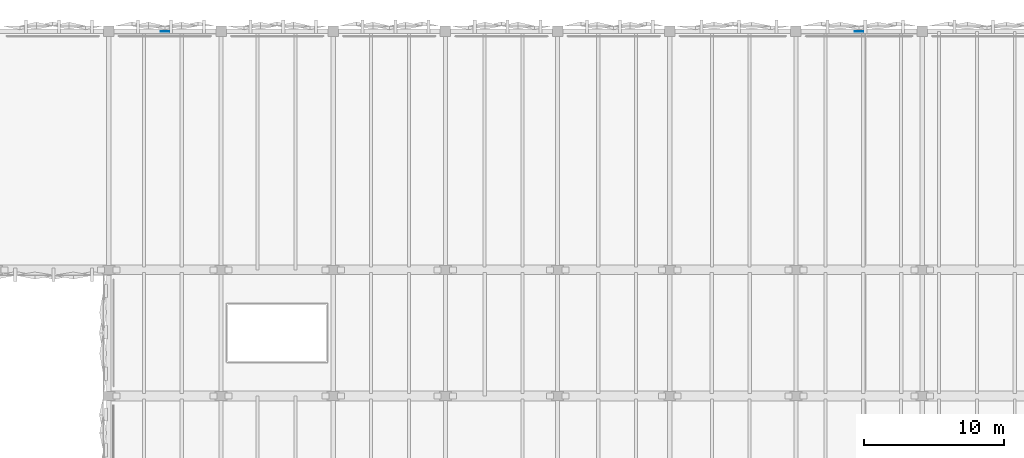
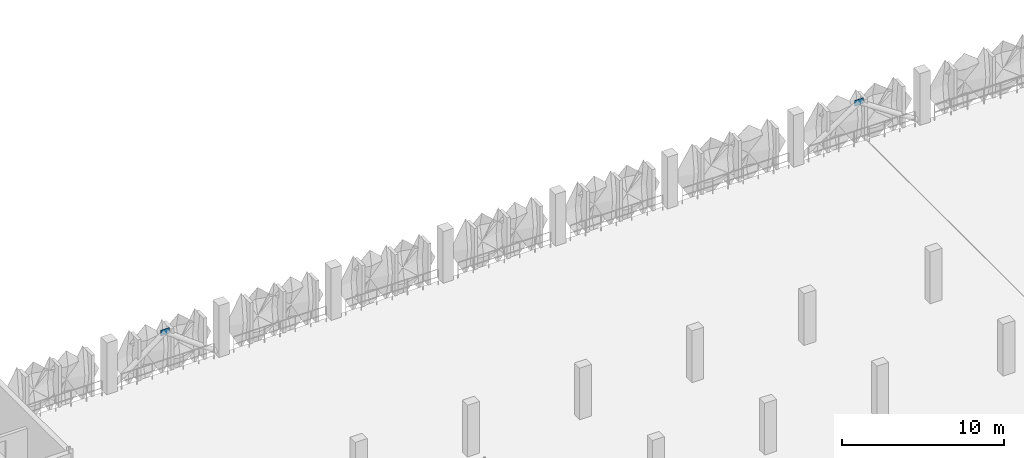
# One storey, part 37 of 83: 2 plates.
"""IFC4 building model written with IfcOpenShell, lengths in metres."""

import ifcopenshell
import ifcopenshell.guid

model = None  # the IFC model being written
_history = None  # IfcOwnerHistory: only IFC2X3 demands one
_inside = {}  # id of a spatial element -> (the spatial element, [elements in it])
_under = {}  # id of a project, library or spatial element -> (it, [spatial elements below it])
_declared = {}  # id of a project -> (the project, [libraries it declares])
_typed = {}  # id of a type object -> (the type object, [elements of that type])
_made_of = {}  # id of a material, layer set ... -> (it, [elements and type objects made of it])


def new_model(schema):
    """Start an empty IFC model of exactly this schema.

    Asked for "IFC4X3", IfcOpenShell would pick the latest addendum, in which some entities
    have other attributes; the version numbers below select the first issue.
    IFC2X3 requires an IfcOwnerHistory on every rooted entity: one is made here for all.
    """
    global model, _history
    if schema == "IFC4X3":
        model = ifcopenshell.file(schema_version=(4, 3, 0, 0))
    else:
        model = ifcopenshell.file(schema=schema)
    _inside.clear()
    _under.clear()
    _declared.clear()
    _typed.clear()
    _made_of.clear()
    _history = None
    if model.schema == "IFC2X3":
        org = make("IfcOrganization", Name="unknown")
        user = make(
            "IfcPersonAndOrganization",
            ThePerson=make("IfcPerson", FamilyName="unknown"),
            TheOrganization=org,
        )
        app = make(
            "IfcApplication",
            ApplicationDeveloper=org,
            Version="unknown",
            ApplicationFullName="unknown",
            ApplicationIdentifier="unknown",
        )
        _history = make(
            "IfcOwnerHistory",
            OwningUser=user,
            OwningApplication=app,
            ChangeAction="ADDED",
            CreationDate=0,
        )
    return model


def make(cls, **values):
    """One entity of the class cls with the attributes given. An attribute that is None is left unset."""
    return model.create_entity(
        cls, **{name: value for name, value in values.items() if value is not None}
    )


def rooted(cls, **values):
    """An entity with a GlobalId (a new one), such as an element, a storey or a relation."""
    return make(cls, GlobalId=ifcopenshell.guid.new(), OwnerHistory=_history, **values)


def si_unit(unit_type, name, prefix=None):
    """IfcSIUnit, for example si_unit("LENGTHUNIT", "METRE", prefix="MILLI")."""
    return make("IfcSIUnit", UnitType=unit_type, Prefix=prefix, Name=name)


def derived_unit(unit_type, elements):
    """IfcDerivedUnit: a product of units, each with its exponent."""
    return make(
        "IfcDerivedUnit",
        Elements=[
            make("IfcDerivedUnitElement", Unit=unit, Exponent=power)
            for unit, power in elements
        ],
        UnitType=unit_type,
    )


def assignment(units):
    """IfcUnitAssignment: the units of a project."""
    return None if units is None else make("IfcUnitAssignment", Units=units)


def point(xyz):
    """IfcCartesianPoint."""
    return None if xyz is None else make("IfcCartesianPoint", Coordinates=xyz)


def direction(xyz):
    """IfcDirection."""
    return None if xyz is None else make("IfcDirection", DirectionRatios=xyz)


def frame(location, z_axis=None, x_axis=None):
    """IfcAxis2Placement3D, a coordinate frame: its origin and axes. An axis left out is left unset."""
    return make(
        "IfcAxis2Placement3D",
        Location=point(location),
        Axis=direction(z_axis),
        RefDirection=direction(x_axis),
    )


def frame_2d(location, x_axis=None):
    """IfcAxis2Placement2D, a coordinate frame in the plane: its origin and x axis."""
    return make(
        "IfcAxis2Placement2D", Location=point(location), RefDirection=direction(x_axis)
    )


def origin():
    """The frame at (0, 0, 0) with its axes left unset."""
    return frame((0.0, 0.0, 0.0))


def origin_2d():
    """The frame at (0, 0) in the plane with its x axis left unset."""
    return frame_2d((0.0, 0.0))


def place(relative_to, where):
    """IfcLocalPlacement: puts the frame where relative to a parent placement (None: the world)."""
    return make(
        "IfcLocalPlacement", PlacementRelTo=relative_to, RelativePlacement=where
    )


def context(
    kind, dimensions, precision=None, world=None, true_north=None, identifier=None
):
    """IfcGeometricRepresentationContext, for example the 3D "Model" context."""
    return make(
        "IfcGeometricRepresentationContext",
        ContextIdentifier=identifier,
        ContextType=kind,
        CoordinateSpaceDimension=dimensions,
        Precision=precision,
        WorldCoordinateSystem=world,
        TrueNorth=true_north,
    )


def subcontext(parent, identifier, kind, view, scale=None):
    """IfcGeometricRepresentationSubContext, for example "Body" below "Model"."""
    return make(
        "IfcGeometricRepresentationSubContext",
        ContextIdentifier=identifier,
        ContextType=kind,
        ParentContext=parent,
        TargetScale=scale,
        TargetView=view,
    )


def project(units=None, contexts=None):
    """IfcProject with its units and contexts."""
    return rooted(
        "IfcProject",
        Name="project",
        RepresentationContexts=contexts,
        UnitsInContext=assignment(units),
    )


def spatial(cls, under=None, at=None, **own):
    """A site, building, storey or space (cls), placed at a placement, below another one or the project."""
    s = rooted(cls, ObjectPlacement=at, **own)
    if under is not None:
        _under.setdefault(under.id(), (under, []))[1].append(s)
    return s


def profile(cls, at=None, kind="AREA", **sizes):
    """A parametric profile (cls). Its sizes go by their IFC names, for example OverallWidth=200.0."""
    return make(cls, ProfileType=kind, Position=at, **sizes)


def rectangle(**sizes):
    """IfcRectangleProfileDef."""
    return profile("IfcRectangleProfileDef", **sizes)


def extrude(swept, where, along, depth):
    """IfcExtrudedAreaSolid: the profile swept, set in the frame where, extruded along a direction by depth."""
    return make(
        "IfcExtrudedAreaSolid",
        SweptArea=swept,
        Position=where,
        ExtrudedDirection=direction(along),
        Depth=depth,
    )


def shape(context_of_items, identifier, shape_type, items):
    """IfcShapeRepresentation: the items that make up one representation, for example the "Body"."""
    return make(
        "IfcShapeRepresentation",
        ContextOfItems=context_of_items,
        RepresentationIdentifier=identifier,
        RepresentationType=shape_type,
        Items=items,
    )


def material(Name=None, Category=None):
    """IfcMaterial."""
    return make("IfcMaterial", Name=Name, Category=Category)


def layer(
    of_material, thickness, ventilated=None, Name=None, Category=None, Priority=None
):
    """IfcMaterialLayer: one layer of a wall or slab, of a material (None: an air gap)."""
    return make(
        "IfcMaterialLayer",
        Material=of_material,
        LayerThickness=thickness,
        IsVentilated=ventilated,
        Name=Name,
        Category=Category,
        Priority=Priority,
    )


def layer_set(layers, Name=None):
    """IfcMaterialLayerSet."""
    return make("IfcMaterialLayerSet", MaterialLayers=layers, LayerSetName=Name)


def made_of(thing, what):
    """Note that an element or type object is made of a material, layer set ...; save() writes the relation."""
    if what is not None:
        _made_of.setdefault(what.id(), (what, []))[1].append(thing)
    return thing


def type_object(cls, material=None, **own):
    """A type object (cls), such as IfcWallType, which elements share."""
    return made_of(rooted(cls, **own), material)


def element(
    cls,
    number,
    at=None,
    inside=None,
    cuts=None,
    type_object=None,
    material=None,
    context=None,
    identifier="Body",
    shape_type=None,
    held_by="IfcProductDefinitionShape",
    body=None,
    shapes=None,
    **own,
):
    """One element of the class cls, such as IfcWall. Its Tag is "e" and its number.

    at: its placement. inside: the storey or other place that contains it. cuts: it is an
    opening in that element (IfcRelVoidsElement). A single representation is given by context,
    identifier, shape_type and body (its items); several are given by shapes. held_by: the class
    of the entity that holds the representations. save() writes the other relations.
    """
    e = rooted(cls, Tag="e%d" % number, ObjectPlacement=at, **own)
    if body is not None:
        shapes = [shape(context, identifier, shape_type, body)]
    if shapes is not None:
        e.Representation = make(held_by, Representations=shapes)
    if inside is not None:
        _inside.setdefault(inside.id(), (inside, []))[1].append(e)
    if cuts is not None:
        rooted(
            "IfcRelVoidsElement", RelatingBuildingElement=cuts, RelatedOpeningElement=e
        )
    if type_object is not None:
        _typed.setdefault(type_object.id(), (type_object, []))[1].append(e)
    return made_of(e, material)


def aggregate(whole, parts):
    """IfcRelAggregates: a whole, such as a stair, and the parts it consists of."""
    return rooted("IfcRelAggregates", RelatingObject=whole, RelatedObjects=parts)


def save(model, path):
    """Write the relations noted so far, then the file.

    IfcRelAggregates (storeys below a building ...), IfcRelContainedInSpatialStructure (elements
    in a storey), IfcRelDefinesByType, IfcRelAssociatesMaterial and IfcRelDeclares: one each for
    every whole, place, type object, material and project.
    """
    for whole, parts in _under.values():
        aggregate(whole, parts)
    for where, things in _inside.values():
        rooted(
            "IfcRelContainedInSpatialStructure",
            RelatedElements=things,
            RelatingStructure=where,
        )
    for kind, things in _typed.values():
        rooted("IfcRelDefinesByType", RelatedObjects=things, RelatingType=kind)
    for what, things in _made_of.values():
        rooted("IfcRelAssociatesMaterial", RelatedObjects=things, RelatingMaterial=what)
    for by, libraries in _declared.values():
        rooted("IfcRelDeclares", RelatingContext=by, RelatedDefinitions=libraries)
    model.write(path)


model = new_model("IFC4")

# Units and contexts
model_context = context("Model", 3, precision=1e-05, world=origin(), true_north=direction((0.0, 1.0)))
body_context = subcontext(model_context, "Body", "Model", "MODEL_VIEW")
ifc_project = project(units=[si_unit("LENGTHUNIT", "METRE"), si_unit("AREAUNIT", "SQUARE_METRE"), si_unit("VOLUMEUNIT", "CUBIC_METRE"), si_unit("PLANEANGLEUNIT", "RADIAN"), si_unit("MASSUNIT", "GRAM", prefix="KILO"), si_unit("THERMODYNAMICTEMPERATUREUNIT", "KELVIN"), derived_unit("THERMALTRANSMITTANCEUNIT", [(si_unit("POWERUNIT", "WATT"), 1), (si_unit("AREAUNIT", "SQUARE_METRE"), -1), (si_unit("THERMODYNAMICTEMPERATUREUNIT", "KELVIN"), -1)])], contexts=[model_context])

# Site, building, storey
site_placement = place(None, origin())
site = spatial("IfcSite", under=ifc_project, at=site_placement, CompositionType="ELEMENT")
building_placement = place(site_placement, origin())
building = spatial("IfcBuilding", under=site, at=building_placement, Name="Haiyu Intermodal Mobility Hub", CompositionType="ELEMENT")
storey_placement = place(building_placement, frame((0.0, 0.0, 13.39990234375)))
storey = spatial("IfcBuildingStorey", under=building, at=storey_placement, Name="L03", CompositionType="ELEMENT", Elevation=13.39990234375)

# Plates
ifc_material = material(Name="Steel Q355C", Category="steel")
ifc_layer = layer(ifc_material, 0.033935546875)
ifc_layer_set = layer_set([ifc_layer], Name="Steel Q355C")
plate_type = type_object("IfcPlateType", Name="PLT-GP04", PredefinedType="USERDEFINED", material=ifc_layer_set)
for number, where, z_axis, x_axis, name in (
    (1, (42.0, 148.0, 2.7900390625), (0.0, 0.0, 1.0), (1.0, 0.0, 0.0), "Chevron Brace Apex Gusset GP-B083"),
    (2, (91.5, 148.0, 2.7900390625), (0.0, 0.0, 1.0), (1.0, 0.0, 0.0), "Chevron Brace Apex Gusset GP-B088"),
):
    element("IfcPlate", number, at=place(storey_placement, frame(where, z_axis=z_axis, x_axis=x_axis)), inside=storey, type_object=plate_type, Name=name, ObjectType="GUSSET PLATE", PredefinedType="USERDEFINED", context=body_context, shape_type="SweptSolid", body=[
        extrude(rectangle(XDim=0.6201171875, YDim=0.033935546875, at=origin_2d()), origin(), (0.0, 0.0, 1.0), 0.419921875),
    ])

save(model, "model.ifc")
